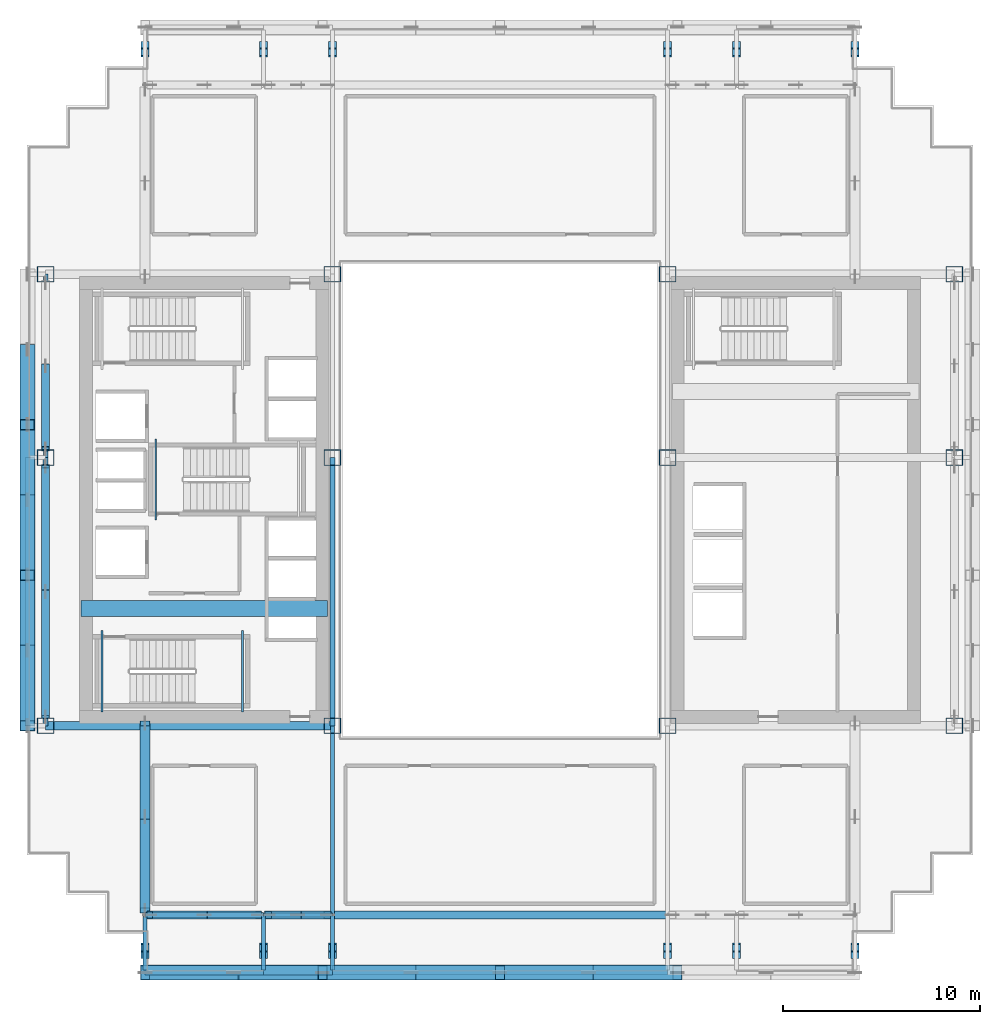
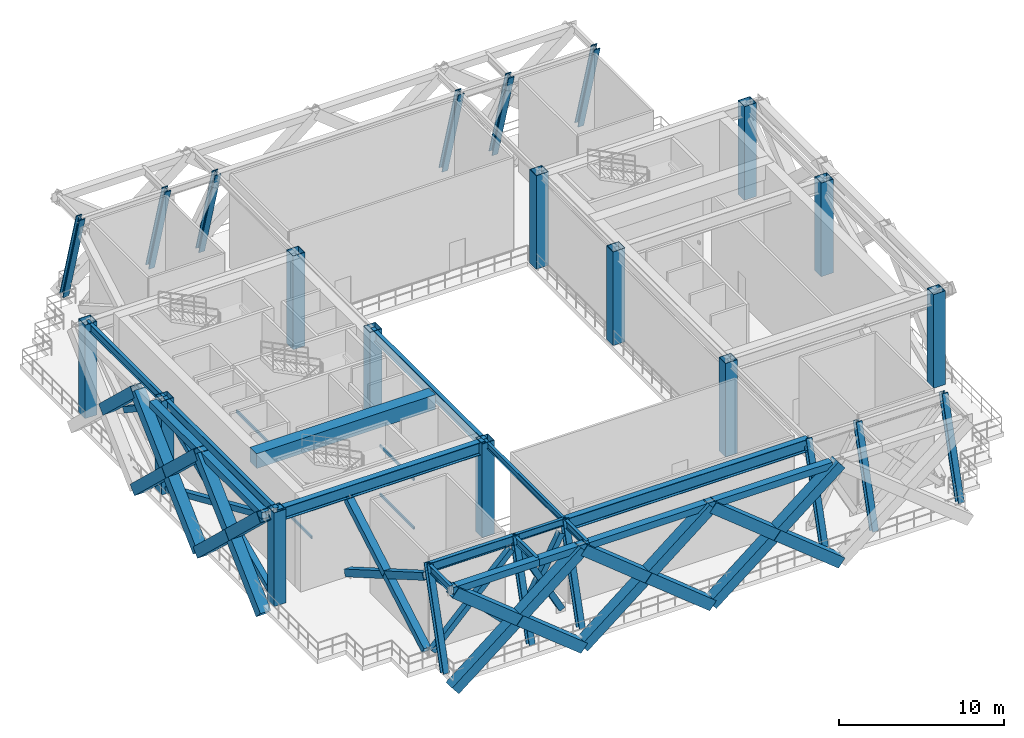
# One storey, part 1 of 14: 29 members, 24 columns, 20 beams.
"""IFC4 building model written with IfcOpenShell, lengths in metres."""

from ifc_helpers import new_model, si_unit, direction, frame, origin, origin_2d, place, context, subcontext, project, spatial, rectangle, hollow_rectangle, i_section, extrude, source, transform, mapped, material, material_profile, profile_set, type_object, element, save


model = new_model("IFC4")

# Units and contexts
model_context = context("Model", 3, precision=1e-05, world=origin(), true_north=direction((0.0, 1.0)))
body_context = subcontext(model_context, "Body", "Model", "MODEL_VIEW")
ifc_project = project(units=[si_unit("LENGTHUNIT", "METRE"), si_unit("AREAUNIT", "SQUARE_METRE"), si_unit("VOLUMEUNIT", "CUBIC_METRE"), si_unit("PLANEANGLEUNIT", "RADIAN"), si_unit("MASSUNIT", "GRAM", prefix="KILO")], contexts=[model_context])

# Site, building, storey
site_placement = place(None, origin())
site = spatial("IfcSite", under=ifc_project, at=site_placement, CompositionType="ELEMENT")
building_placement = place(site_placement, origin())
building = spatial("IfcBuilding", under=site, at=building_placement, Name="Ocotamira Hotel", CompositionType="ELEMENT")
storey_placement = place(building_placement, frame((0.0, 0.0, 151.199951171875)))
storey = spatial("IfcBuildingStorey", under=building, at=storey_placement, Name="L38", CompositionType="ELEMENT", Elevation=151.199951171875)

# Columns
ifc_material_1 = material(Name="Steel ASTM A913 Grade 65", Category="steel")
ifc_material_profile_1 = material_profile(ifc_material_1, hollow_rectangle(XDim=0.85009765625, YDim=0.800048828125, WallThickness=0.031982421875, at=origin_2d()), Name="BOX800X850X32")
ifc_profile_set_1 = profile_set([ifc_material_profile_1], Name="Steel ASTM A913 Grade 65")
column_type_1 = type_object("IfcColumnType", Name="COL-BOX800", PredefinedType="COLUMN", material=ifc_profile_set_1)
shared_shape_1 = source(origin(), body_context, "Body", "SweptSolid", [
    extrude(hollow_rectangle(XDim=0.85009765625, YDim=0.800048828125, WallThickness=0.031982421875, at=origin_2d()), origin(), (0.0, 0.0, 1.0), 6.920166015625),
])
for number, where, z_axis, x_axis, name in (
    (1, (8.949951171875, 14.550048828125, 0.0), (0.0, 0.0, 1.0), (1.0, 0.0, 0.0), "L38 Column TW8_14"),
    (2, (23.5, 14.550048828125, 0.0), (0.0, 0.0, 1.0), (1.0, 0.0, 0.0), "L38 Column TW23_14"),
    (3, (40.5, 14.550048828125, 0.0), (0.0, 0.0, 1.0), (1.0, 0.0, 0.0), "L38 Column TE40_14"),
    (4, (55.050048828125, 14.550048828125, 0.0), (0.0, 0.0, 1.0), (1.0, 0.0, 0.0), "L38 Column TE55_14"),
    (5, (8.949951171875, 28.14990234375, 0.0), (0.0, 0.0, 1.0), (1.0, 0.0, 0.0), "L38 Column TW8_28"),
    (6, (23.5, 28.14990234375, 0.0), (0.0, 0.0, 1.0), (1.0, 0.0, 0.0), "L38 Column TW23_28"),
    (7, (40.5, 28.14990234375, 0.0), (0.0, 0.0, 1.0), (1.0, 0.0, 0.0), "L38 Column TE40_28"),
    (8, (55.050048828125, 28.14990234375, 0.0), (0.0, 0.0, 1.0), (1.0, 0.0, 0.0), "L38 Column TE55_28"),
    (9, (8.949951171875, 37.449951171875, 0.0), (0.0, 0.0, 1.0), (1.0, 0.0, 0.0), "L38 Column TW8_37"),
    (10, (23.5, 37.449951171875, 0.0), (0.0, 0.0, 1.0), (1.0, 0.0, 0.0), "L38 Column TW23_37"),
    (11, (40.5, 37.449951171875, 0.0), (0.0, 0.0, 1.0), (1.0, 0.0, 0.0), "L38 Column TE40_37"),
    (12, (55.050048828125, 37.449951171875, 0.0), (0.0, 0.0, 1.0), (1.0, 0.0, 0.0), "L38 Column TE55_37"),
):
    element("IfcColumn", number, at=place(storey_placement, frame(where, z_axis=z_axis, x_axis=x_axis)), inside=storey, type_object=column_type_1, Name=name, PredefinedType="COLUMN", context=body_context, shape_type="MappedRepresentation", body=[
        mapped(shared_shape_1, transform((0.0, 0.0, 0.0), scale=1.0)),
    ])
ifc_material_profile_2 = material_profile(ifc_material_1, i_section(OverallWidth=0.412109375, OverallDepth=0.43505859375, WebThickness=0.035888671875, FlangeThickness=0.057373046875, FilletRadius=0.02490234375, at=origin_2d()), Name="W14X311")
ifc_profile_set_2 = profile_set([ifc_material_profile_2], Name="Steel ASTM A913 Grade 65")
column_type_2 = type_object("IfcColumnType", Name="COL-W14X311", PredefinedType="COLUMN", material=ifc_profile_set_2)
shared_shape_2 = source(origin(), body_context, "Body", "SweptSolid", [
    extrude(i_section(OverallWidth=0.412109375, OverallDepth=0.43505859375, WebThickness=0.035888671875, FlangeThickness=0.057373046875, FilletRadius=0.02490234375, at=origin_2d()), origin(), (0.0, 0.0, 1.0), 7.203369140625),
])
for number, where, z_axis, x_axis, name in (
    (13, (14.0, 2.949951171875, 0.0), (0.0, 0.277647399581, 0.960683049453), (-1.0, 0.0, 0.0), "L38 Column NSP1_14"),
    (14, (20.0, 2.949951171875, 0.0), (0.0, 0.277647399581, 0.960683049453), (-1.0, 0.0, 0.0), "L38 Column NSP1_20"),
    (15, (23.5, 2.949951171875, 0.0), (0.0, 0.277647399581, 0.960683049453), (-1.0, 0.0, 0.0), "L38 Column NSP1_23"),
    (16, (40.5, 2.949951171875, 0.0), (0.0, 0.277647399581, 0.960683049453), (-1.0, 0.0, 0.0), "L38 Column NSP1_40"),
    (17, (44.0, 2.949951171875, 0.0), (0.0, 0.277647399581, 0.960683049453), (-1.0, 0.0, 0.0), "L38 Column NSP1_44"),
    (18, (50.0, 2.949951171875, 0.0), (0.0, 0.277647399581, 0.960683049453), (-1.0, 0.0, 0.0), "L38 Column NSP1_50"),
    (19, (14.0, 49.050048828125, 0.0), (0.0, -0.277647399581, 0.960683049453), (1.0, 0.0, 0.0), "L38 Column NSP2_14"),
    (20, (20.0, 49.050048828125, 0.0), (0.0, -0.277647399581, 0.960683049453), (1.0, 0.0, 0.0), "L38 Column NSP2_20"),
    (21, (23.5, 49.050048828125, 0.0), (0.0, -0.277647399581, 0.960683049453), (1.0, 0.0, 0.0), "L38 Column NSP2_23"),
    (22, (40.5, 49.050048828125, 0.0), (0.0, -0.277647399581, 0.960683049453), (1.0, 0.0, 0.0), "L38 Column NSP2_40"),
    (23, (44.0, 49.050048828125, 0.0), (0.0, -0.277647399581, 0.960683049453), (1.0, 0.0, 0.0), "L38 Column NSP2_44"),
    (24, (50.0, 49.050048828125, 0.0), (0.0, -0.277647399581, 0.960683049453), (1.0, 0.0, 0.0), "L38 Column NSP2_50"),
):
    element("IfcColumn", number, at=place(storey_placement, frame(where, z_axis=z_axis, x_axis=x_axis)), inside=storey, type_object=column_type_2, Name=name, PredefinedType="COLUMN", context=body_context, shape_type="MappedRepresentation", body=[
        mapped(shared_shape_2, transform((0.0, 0.0, 0.0), scale=1.0)),
    ])

# Beams
ifc_material_2 = material(Name="Concrete C60/75", Category="concrete")
ifc_material_profile_3 = material_profile(ifc_material_2, rectangle(XDim=0.800048828125, YDim=1.10009765625, at=origin_2d()), Name="RC800X1100")
ifc_profile_set_3 = profile_set([ifc_material_profile_3], Name="Concrete C60/75")
beam_type_1 = type_object("IfcBeamType", Name="BM-LINK-RC800", PredefinedType="LINTEL", material=ifc_profile_set_3)
shared_shape_3 = source(origin(), body_context, "Body", "SweptSolid", [
    extrude(rectangle(XDim=0.800048828125, YDim=1.10009765625, at=origin_2d()), origin(), (0.0, 0.0, 1.0), 12.5),
])
beam_1_placement = place(storey_placement, frame((10.75, 20.5, 6.3701171875), z_axis=(1.0, 0.0, 0.0), x_axis=(0.0, 1.0, 0.0)))
element("IfcBeam", 25, at=beam_1_placement, inside=storey, type_object=beam_type_1, Name="L38 West Core Coupling Beam", PredefinedType="LINTEL", context=body_context, shape_type="MappedRepresentation", body=[
    mapped(shared_shape_3, transform((0.0, 0.0, 0.0), scale=1.0)),
])
ifc_material_3 = material(Name="Steel ASTM A500 Grade C", Category="steel")
ifc_material_profile_4 = material_profile(ifc_material_3, hollow_rectangle(XDim=0.10009765625, YDim=0.199951171875, WallThickness=0.008056640625, at=origin_2d()), Name="HSS200X100X8")
ifc_profile_set_4 = profile_set([ifc_material_profile_4], Name="Steel ASTM A500 Grade C")
beam_type_2 = type_object("IfcBeamType", Name="BM-STLDG-HSS200", PredefinedType="BEAM", material=ifc_profile_set_4)
shared_shape_4 = source(origin(), body_context, "Body", "SweptSolid", [
    extrude(hollow_rectangle(XDim=0.10009765625, YDim=0.199951171875, WallThickness=0.008056640625, at=origin_2d()), origin(), (0.0, 0.0, 1.0), 4.1201171875),
])
for number, where, z_axis, x_axis, name in (
    (26, (18.949951171875, 15.25, 1.5), (0.0, 1.0, 0.0), (-1.0, 0.0, 0.0), "L38 Stair ST-1 Landing Bearer 1"),
    (27, (11.81005859375, 15.25, 3.300048828125), (0.0, 1.0, 0.0), (-1.0, 0.0, 0.0), "L38 Stair ST-1 Landing Bearer 2"),
    (28, (18.949951171875, 15.25, 5.10009765625), (0.0, 1.0, 0.0), (-1.0, 0.0, 0.0), "L38 Stair ST-1 Landing Bearer 3"),
    (29, (14.5400390625, 24.97998046875, 3.300048828125), (0.0, 1.0, 0.0), (-1.0, 0.0, 0.0), "L38 Stair ST-3 Landing Bearer 2"),
):
    element("IfcBeam", number, at=place(storey_placement, frame(where, z_axis=z_axis, x_axis=x_axis)), inside=storey, type_object=beam_type_2, Name=name, PredefinedType="BEAM", context=body_context, shape_type="MappedRepresentation", body=[
        mapped(shared_shape_4, transform((0.0, 0.0, 0.0), scale=1.0)),
    ])
ifc_material_4 = material(Name="Steel ASTM A992 Grade 50", Category="steel")
ifc_material_profile_5 = material_profile(ifc_material_4, i_section(OverallWidth=0.41796875, OverallDepth=0.927001953125, WebThickness=0.019287109375, FlangeThickness=0.031982421875, FilletRadius=0.02392578125, at=origin_2d()), Name="W36X231")
ifc_profile_set_5 = profile_set([ifc_material_profile_5], Name="Steel ASTM A992 Grade 50")
beam_type_3 = type_object("IfcBeamType", Name="BM-GIRD-W36X231", PredefinedType="BEAM", material=ifc_profile_set_5)
shared_shape_5 = source(origin(), body_context, "Body", "SweptSolid", [
    extrude(i_section(OverallWidth=0.41796875, OverallDepth=0.927001953125, WebThickness=0.019287109375, FlangeThickness=0.031982421875, FilletRadius=0.02392578125, at=origin_2d()), origin(), (0.0, 0.0, 1.0), 14.550048828125),
])
beam_2_placement = place(storey_placement, frame((8.949951171875, 14.550048828125, 6.45654296875), z_axis=(1.0, 0.0, 0.0), x_axis=(0.0, 1.0, 0.0)))
element("IfcBeam", 30, at=beam_2_placement, inside=storey, type_object=beam_type_3, Name="L38 Girder Y14.55 X8.95-23.5", PredefinedType="BEAM", context=body_context, shape_type="MappedRepresentation", body=[
    mapped(shared_shape_5, transform((0.0, 0.0, 0.0), scale=1.0)),
])
shared_shape_6 = source(origin(), body_context, "Body", "SweptSolid", [
    extrude(i_section(OverallWidth=0.41796875, OverallDepth=0.927001953125, WebThickness=0.019287109375, FlangeThickness=0.031982421875, FilletRadius=0.02392578125, at=origin_2d()), origin(), (0.0, 0.0, 1.0), 17.0),
])
beam_3_placement = place(storey_placement, frame((23.5, 4.949951171875, 6.45654296875), z_axis=(1.0, 0.0, 0.0), x_axis=(0.0, 1.0, 0.0)))
element("IfcBeam", 31, at=beam_3_placement, inside=storey, type_object=beam_type_3, Name="L38 Girder Y4.95 X23.5-40.5", PredefinedType="BEAM", context=body_context, shape_type="MappedRepresentation", body=[
    mapped(shared_shape_6, transform((0.0, 0.0, 0.0), scale=1.0)),
])
ifc_material_profile_6 = material_profile(ifc_material_4, i_section(OverallWidth=0.256103515625, OverallDepth=0.693115234375, WebThickness=0.014404296875, FlangeThickness=0.023681640625, FilletRadius=0.01611328125, at=origin_2d()), Name="W27X114")
ifc_profile_set_6 = profile_set([ifc_material_profile_6], Name="Steel ASTM A992 Grade 50")
beam_type_4 = type_object("IfcBeamType", Name="BM-PRIM-W27X114", PredefinedType="BEAM", material=ifc_profile_set_6)
shared_shape_7 = source(origin(), body_context, "Body", "SweptSolid", [
    extrude(i_section(OverallWidth=0.256103515625, OverallDepth=0.693115234375, WebThickness=0.014404296875, FlangeThickness=0.023681640625, FilletRadius=0.01611328125, at=origin_2d()), origin(), (0.0, 0.0, 1.0), 6.0),
])
beam_4_placement = place(storey_placement, frame((14.0, 4.949951171875, 6.573486328125), z_axis=(1.0, 0.0, 0.0), x_axis=(0.0, 1.0, 0.0)))
element("IfcBeam", 32, at=beam_4_placement, inside=storey, type_object=beam_type_4, Name="L38 Girder Y4.95 X14-20", PredefinedType="BEAM", context=body_context, shape_type="MappedRepresentation", body=[
    mapped(shared_shape_7, transform((0.0, 0.0, 0.0), scale=1.0)),
])
ifc_material_profile_7 = material_profile(ifc_material_4, i_section(OverallWidth=0.2099609375, OverallDepth=0.537109375, WebThickness=0.010986328125, FlangeThickness=0.017333984375, FilletRadius=0.012939453125, at=origin_2d()), Name="W21X68")
ifc_profile_set_7 = profile_set([ifc_material_profile_7], Name="Steel ASTM A992 Grade 50")
beam_type_5 = type_object("IfcBeamType", Name="BM-SEC-W21X68", PredefinedType="JOIST", material=ifc_profile_set_7)
shared_shape_8 = source(origin(), body_context, "Body", "SweptSolid", [
    extrude(i_section(OverallWidth=0.2099609375, OverallDepth=0.537109375, WebThickness=0.010986328125, FlangeThickness=0.017333984375, FilletRadius=0.012939453125, at=origin_2d()), origin(), (0.0, 0.0, 1.0), 3.5),
])
beam_5_placement = place(storey_placement, frame((20.0, 4.949951171875, 6.651611328125), z_axis=(1.0, 0.0, 0.0), x_axis=(0.0, 1.0, 0.0)))
element("IfcBeam", 33, at=beam_5_placement, inside=storey, type_object=beam_type_5, Name="L38 Girder Y4.95 X20-23.5", PredefinedType="JOIST", context=body_context, shape_type="MappedRepresentation", body=[
    mapped(shared_shape_8, transform((0.0, 0.0, 0.0), scale=1.0)),
])
ifc_material_profile_8 = material_profile(ifc_material_4, i_section(OverallWidth=0.26611328125, OverallDepth=0.779052734375, WebThickness=0.0166015625, FlangeThickness=0.030029296875, FilletRadius=0.01806640625, at=origin_2d()), Name="W30X148")
ifc_profile_set_8 = profile_set([ifc_material_profile_8], Name="Steel ASTM A992 Grade 50")
beam_type_6 = type_object("IfcBeamType", Name="BM-GIRD-W30X148", PredefinedType="BEAM", material=ifc_profile_set_8)
shared_shape_9 = source(origin(), body_context, "Body", "SweptSolid", [
    extrude(i_section(OverallWidth=0.26611328125, OverallDepth=0.779052734375, WebThickness=0.0166015625, FlangeThickness=0.030029296875, FilletRadius=0.01806640625, at=origin_2d()), origin(), (0.0, 0.0, 1.0), 13.599853515625),
])
for number, where, z_axis, x_axis, name in (
    (34, (8.949951171875, 14.550048828125, 6.530517578125), (0.0, 1.0, 0.0), (-1.0, 0.0, 0.0), "L38 Beam X8.95 Y14.55-28.15"),
    (35, (23.5, 14.550048828125, 6.530517578125), (0.0, 1.0, 0.0), (-1.0, 0.0, 0.0), "L38 Beam X23.5 Y14.55-28.15"),
):
    element("IfcBeam", number, at=place(storey_placement, frame(where, z_axis=z_axis, x_axis=x_axis)), inside=storey, type_object=beam_type_6, Name=name, PredefinedType="BEAM", context=body_context, shape_type="MappedRepresentation", body=[
        mapped(shared_shape_9, transform((0.0, 0.0, 0.0), scale=1.0)),
    ])
ifc_material_profile_9 = material_profile(ifc_material_4, i_section(OverallWidth=0.22998046875, OverallDepth=0.616943359375, WebThickness=0.01318359375, FlangeThickness=0.022216796875, FilletRadius=0.012939453125, at=origin_2d()), Name="W24X94")
ifc_profile_set_9 = profile_set([ifc_material_profile_9], Name="Steel ASTM A992 Grade 50")
beam_type_7 = type_object("IfcBeamType", Name="BM-PRIM-W24X94", PredefinedType="BEAM", material=ifc_profile_set_9)
shared_shape_10 = source(origin(), body_context, "Body", "SweptSolid", [
    extrude(i_section(OverallWidth=0.22998046875, OverallDepth=0.616943359375, WebThickness=0.01318359375, FlangeThickness=0.022216796875, FilletRadius=0.012939453125, at=origin_2d()), origin(), (0.0, 0.0, 1.0), 9.300048828125),
])
beam_6_placement = place(storey_placement, frame((8.949951171875, 28.14990234375, 6.611572265625), z_axis=(0.0, 1.0, 0.0), x_axis=(-1.0, 0.0, 0.0)))
element("IfcBeam", 36, at=beam_6_placement, inside=storey, type_object=beam_type_7, Name="L38 Beam X8.95 Y28.15-37.45", PredefinedType="BEAM", context=body_context, shape_type="MappedRepresentation", body=[
    mapped(shared_shape_10, transform((0.0, 0.0, 0.0), scale=1.0)),
])
ifc_material_profile_10 = material_profile(ifc_material_3, hollow_rectangle(XDim=0.5, YDim=0.5, WallThickness=0.02001953125, at=origin_2d()), Name="HSS500X500X20")
ifc_profile_set_10 = profile_set([ifc_material_profile_10], Name="Steel ASTM A500 Grade C")
beam_type_8 = type_object("IfcBeamType", Name="BM-SPAN-HSS500", PredefinedType="USERDEFINED", material=ifc_profile_set_10)
shared_shape_11 = source(origin(), body_context, "Body", "SweptSolid", [
    extrude(hollow_rectangle(XDim=0.5, YDim=0.5, WallThickness=0.02001953125, at=origin_2d()), origin(), (0.0, 0.0, 1.0), 6.0),
])
beam_7_placement = place(storey_placement, frame((14.0, 2.14990234375, 6.670166015625), z_axis=(1.0, 0.0, 0.0), x_axis=(0.0, 1.0, 0.0)))
element("IfcBeam", 37, at=beam_7_placement, inside=storey, type_object=beam_type_8, Name="L38 Edge Spandrel S X14-20", ObjectType="SPANDREL", PredefinedType="USERDEFINED", context=body_context, shape_type="MappedRepresentation", body=[
    mapped(shared_shape_11, transform((0.0, 0.0, 0.0), scale=1.0)),
])
shared_shape_12 = source(origin(), body_context, "Body", "SweptSolid", [
    extrude(hollow_rectangle(XDim=0.5, YDim=0.5, WallThickness=0.02001953125, at=origin_2d()), origin(), (0.0, 0.0, 1.0), 13.599853515625),
])
beam_8_placement = place(storey_placement, frame((8.14990234375, 14.550048828125, 6.670166015625), z_axis=(0.0, 1.0, 0.0), x_axis=(-1.0, 0.0, 0.0)))
element("IfcBeam", 38, at=beam_8_placement, inside=storey, type_object=beam_type_8, Name="L38 Edge Spandrel W Y14.55-28.15", ObjectType="SPANDREL", PredefinedType="USERDEFINED", context=body_context, shape_type="MappedRepresentation", body=[
    mapped(shared_shape_12, transform((0.0, 0.0, 0.0), scale=1.0)),
])
shared_shape_13 = source(origin(), body_context, "Body", "SweptSolid", [
    extrude(hollow_rectangle(XDim=0.5, YDim=0.5, WallThickness=0.02001953125, at=origin_2d()), origin(), (0.0, 0.0, 1.0), 3.5),
])
beam_9_placement = place(storey_placement, frame((20.0, 2.14990234375, 6.670166015625), z_axis=(1.0, 0.0, 0.0), x_axis=(0.0, 1.0, 0.0)))
element("IfcBeam", 39, at=beam_9_placement, inside=storey, type_object=beam_type_8, Name="L38 Edge Spandrel S X20-23.5", ObjectType="SPANDREL", PredefinedType="USERDEFINED", context=body_context, shape_type="MappedRepresentation", body=[
    mapped(shared_shape_13, transform((0.0, 0.0, 0.0), scale=1.0)),
])
shared_shape_14 = source(origin(), body_context, "Body", "SweptSolid", [
    extrude(hollow_rectangle(XDim=0.5, YDim=0.5, WallThickness=0.02001953125, at=origin_2d()), origin(), (0.0, 0.0, 1.0), 17.0),
])
beam_10_placement = place(storey_placement, frame((23.5, 2.14990234375, 6.670166015625), z_axis=(1.0, 0.0, 0.0), x_axis=(0.0, 1.0, 0.0)))
element("IfcBeam", 40, at=beam_10_placement, inside=storey, type_object=beam_type_8, Name="L38 Edge Spandrel S X23.5-40.5", ObjectType="SPANDREL", PredefinedType="USERDEFINED", context=body_context, shape_type="MappedRepresentation", body=[
    mapped(shared_shape_14, transform((0.0, 0.0, 0.0), scale=1.0)),
])
ifc_material_profile_11 = material_profile(ifc_material_4, i_section(OverallWidth=0.18994140625, OverallDepth=0.45703125, WebThickness=0.009033203125, FlangeThickness=0.014404296875, FilletRadius=0.010009765625, at=origin_2d()), Name="W18X50")
ifc_profile_set_11 = profile_set([ifc_material_profile_11], Name="Steel ASTM A992 Grade 50")
beam_type_9 = type_object("IfcBeamType", Name="BM-SEC-W18X50", PredefinedType="JOIST", material=ifc_profile_set_11)
shared_shape_15 = source(origin(), body_context, "Body", "SweptSolid", [
    extrude(i_section(OverallWidth=0.18994140625, OverallDepth=0.45703125, WebThickness=0.009033203125, FlangeThickness=0.014404296875, FilletRadius=0.010009765625, at=origin_2d()), origin(), (0.0, 0.0, 1.0), 9.60009765625),
])
beam_11_placement = place(storey_placement, frame((23.5, 4.949951171875, 6.691650390625), z_axis=(0.0, 1.0, 0.0), x_axis=(-1.0, 0.0, 0.0)))
element("IfcBeam", 41, at=beam_11_placement, inside=storey, type_object=beam_type_9, Name="L38 Beam X23.5 Y4.95-14.55", PredefinedType="JOIST", context=body_context, shape_type="MappedRepresentation", body=[
    mapped(shared_shape_15, transform((0.0, 0.0, 0.0), scale=1.0)),
])
shared_shape_16 = source(origin(), body_context, "Body", "SweptSolid", [
    extrude(i_section(OverallWidth=0.2099609375, OverallDepth=0.537109375, WebThickness=0.010986328125, FlangeThickness=0.017333984375, FilletRadius=0.012939453125, at=origin_2d()), origin(), (0.0, 0.0, 1.0), 2.800048828125),
])
for number, where, z_axis, x_axis, name in (
    (42, (14.0, 4.949951171875, 6.651611328125), (0.0, -1.0, 0.0), (1.0, 0.0, 0.0), "L38 South Edge Header X14"),
    (43, (20.0, 4.949951171875, 6.651611328125), (0.0, -1.0, 0.0), (1.0, 0.0, 0.0), "L38 South Edge Header X20"),
    (44, (23.5, 4.949951171875, 6.651611328125), (0.0, -1.0, 0.0), (1.0, 0.0, 0.0), "L38 South Edge Header X23.5"),
):
    element("IfcBeam", number, at=place(storey_placement, frame(where, z_axis=z_axis, x_axis=x_axis)), inside=storey, type_object=beam_type_5, Name=name, PredefinedType="JOIST", context=body_context, shape_type="MappedRepresentation", body=[
        mapped(shared_shape_16, transform((0.0, 0.0, 0.0), scale=1.0)),
    ])

# Members
ifc_material_profile_12 = material_profile(ifc_material_1, hollow_rectangle(XDim=0.39990234375, YDim=0.39990234375, WallThickness=0.01611328125, at=origin_2d()), Name="HSS400X400X16")
ifc_profile_set_12 = profile_set([ifc_material_profile_12], Name="Steel ASTM A913 Grade 65")
member_type_1 = type_object("IfcMemberType", Name="MEM-BELT-HSS400", PredefinedType="BRACE", material=ifc_profile_set_12)
shared_shape_17 = source(origin(), body_context, "Body", "SweptSolid", [
    extrude(hollow_rectangle(XDim=0.39990234375, YDim=0.39990234375, WallThickness=0.01611328125, at=origin_2d()), origin(), (0.0, 0.0, 1.0), 7.870361328125),
])
member_1_placement = place(storey_placement, frame((14.239990234375, 4.949951171875, 0.35009765625), z_axis=(0.701375952143, 0.0, 0.712791535973), x_axis=(0.0, 1.0, 0.0)))
element("IfcMember", 45, at=member_1_placement, inside=storey, type_object=member_type_1, Name="L38 Belt Truss Diagonal 14,4.95 A", PredefinedType="BRACE", context=body_context, shape_type="MappedRepresentation", body=[
    mapped(shared_shape_17, transform((0.0, 0.0, 0.0), scale=1.0)),
])
shared_shape_18 = source(origin(), body_context, "Body", "SweptSolid", [
    extrude(hollow_rectangle(XDim=0.39990234375, YDim=0.39990234375, WallThickness=0.01611328125, at=origin_2d()), origin(), (0.0, 0.0, 1.0), 3.915283203125),
])
for number, where, z_axis, x_axis, name in (
    (46, (14.239990234375, 4.949951171875, 5.9599609375), (0.70137820504, 0.0, -0.712789319151), (0.0, 1.0, 0.0), "L38 Belt Truss Diagonal 14,4.95 B Lower Half"),
    (47, (17.013916015625, 4.949951171875, 3.140869140625), (0.70137820504, 0.0, -0.712789319151), (0.0, 1.0, 0.0), "L38 Belt Truss Diagonal 14,4.95 B Upper Half"),
):
    element("IfcMember", number, at=place(storey_placement, frame(where, z_axis=z_axis, x_axis=x_axis)), inside=storey, type_object=member_type_1, Name=name, PredefinedType="BRACE", context=body_context, shape_type="MappedRepresentation", body=[
        mapped(shared_shape_18, transform((0.0, 0.0, 0.0), scale=1.0)),
    ])
shared_shape_19 = source(origin(), body_context, "Body", "SweptSolid", [
    extrude(hollow_rectangle(XDim=0.39990234375, YDim=0.39990234375, WallThickness=0.01611328125, at=origin_2d()), origin(), (0.0, 0.0, 1.0), 6.37109375),
])
member_2_placement = place(storey_placement, frame((20.239990234375, 4.949951171875, 0.35009765625), z_axis=(0.474017556158, 0.0, 0.880515392514), x_axis=(0.0, 1.0, 0.0)))
element("IfcMember", 48, at=member_2_placement, inside=storey, type_object=member_type_1, Name="L38 Belt Truss Diagonal 20,4.95 A", PredefinedType="BRACE", context=body_context, shape_type="MappedRepresentation", body=[
    mapped(shared_shape_19, transform((0.0, 0.0, 0.0), scale=1.0)),
])
shared_shape_20 = source(origin(), body_context, "Body", "SweptSolid", [
    extrude(hollow_rectangle(XDim=0.39990234375, YDim=0.39990234375, WallThickness=0.01611328125, at=origin_2d()), origin(), (0.0, 0.0, 1.0), 3.16552734375),
])
for number, where, z_axis, x_axis, name in (
    (49, (20.239990234375, 4.949951171875, 5.9599609375), (0.474003238469, 0.0, -0.880523100163), (0.0, 1.0, 0.0), "L38 Belt Truss Diagonal 20,4.95 B Lower Half"),
    (50, (21.759521484375, 4.949951171875, 3.137451171875), (0.474003238469, 0.0, -0.880523100163), (0.0, 1.0, 0.0), "L38 Belt Truss Diagonal 20,4.95 B Upper Half"),
):
    element("IfcMember", number, at=place(storey_placement, frame(where, z_axis=z_axis, x_axis=x_axis)), inside=storey, type_object=member_type_1, Name=name, PredefinedType="BRACE", context=body_context, shape_type="MappedRepresentation", body=[
        mapped(shared_shape_20, transform((0.0, 0.0, 0.0), scale=1.0)),
    ])
shared_shape_21 = source(origin(), body_context, "Body", "SweptSolid", [
    extrude(hollow_rectangle(XDim=0.39990234375, YDim=0.39990234375, WallThickness=0.01611328125, at=origin_2d()), origin(), (0.0, 0.0, 1.0), 13.902099609375),
])
member_3_placement = place(storey_placement, frame((8.949951171875, 14.989990234375, 0.35009765625), z_axis=(0.0, 0.914967960932, 0.403526492895), x_axis=(-1.0, 0.0, 0.0)))
element("IfcMember", 51, at=member_3_placement, inside=storey, type_object=member_type_1, Name="L38 Belt Truss Diagonal 8.95,14.55 A", PredefinedType="BRACE", context=body_context, shape_type="MappedRepresentation", body=[
    mapped(shared_shape_21, transform((0.0, 0.0, 0.0), scale=1.0)),
])
shared_shape_22 = source(origin(), body_context, "Body", "SweptSolid", [
    extrude(hollow_rectangle(XDim=0.39990234375, YDim=0.39990234375, WallThickness=0.01611328125, at=origin_2d()), origin(), (0.0, 0.0, 1.0), 6.93115234375),
])
member_4_placement = place(storey_placement, frame((8.949951171875, 14.989990234375, 5.9599609375), z_axis=(0.0, 0.914969826027, -0.403522263896), x_axis=(-1.0, 0.0, 0.0)))
element("IfcMember", 52, at=member_4_placement, inside=storey, type_object=member_type_1, Name="L38 Belt Truss Diagonal 8.95,14.55 B Lower Half", PredefinedType="BRACE", context=body_context, shape_type="MappedRepresentation", body=[
    mapped(shared_shape_22, transform((0.0, 0.0, 0.0), scale=1.0)),
])
shared_shape_23 = source(origin(), body_context, "Body", "SweptSolid", [
    extrude(hollow_rectangle(XDim=0.39990234375, YDim=0.39990234375, WallThickness=0.01611328125, at=origin_2d()), origin(), (0.0, 0.0, 1.0), 6.930908203125),
])
member_5_placement = place(storey_placement, frame((8.949951171875, 21.368408203125, 3.14697265625), z_axis=(0.0, 0.914964090273, -0.403535269227), x_axis=(-1.0, 0.0, 0.0)))
element("IfcMember", 53, at=member_5_placement, inside=storey, type_object=member_type_1, Name="L38 Belt Truss Diagonal 8.95,14.55 B Upper Half", PredefinedType="BRACE", context=body_context, shape_type="MappedRepresentation", body=[
    mapped(shared_shape_23, transform((0.0, 0.0, 0.0), scale=1.0)),
])
shared_shape_24 = source(origin(), body_context, "Body", "SweptSolid", [
    extrude(hollow_rectangle(XDim=0.39990234375, YDim=0.39990234375, WallThickness=0.01611328125, at=origin_2d()), origin(), (0.0, 0.0, 1.0), 5.038818359375),
])
member_6_placement = place(storey_placement, frame((8.949951171875, 28.590087890625, 5.9599609375), z_axis=(0.0, 0.832221702224, -0.554442998285), x_axis=(-1.0, 0.0, 0.0)))
element("IfcMember", 54, at=member_6_placement, inside=storey, type_object=member_type_1, Name="L38 Belt Truss Diagonal 8.95,28.15 B Lower Half", PredefinedType="BRACE", context=body_context, shape_type="MappedRepresentation", body=[
    mapped(shared_shape_24, transform((0.0, 0.0, 0.0), scale=1.0)),
])
ifc_material_profile_13 = material_profile(ifc_material_1, hollow_rectangle(XDim=0.5, YDim=0.5, WallThickness=0.02001953125, at=origin_2d()), Name="HSS500X500X20")
ifc_profile_set_13 = profile_set([ifc_material_profile_13], Name="Steel ASTM A913 Grade 65")
member_type_2 = type_object("IfcMemberType", Name="MEM-OUT-HSS500", PredefinedType="BRACE", material=ifc_profile_set_13)
shared_shape_25 = source(origin(), body_context, "Body", "SweptSolid", [
    extrude(hollow_rectangle(XDim=0.5, YDim=0.5, WallThickness=0.02001953125, at=origin_2d()), origin(), (0.0, 0.0, 1.0), 10.968017578125),
])
member_7_placement = place(storey_placement, frame((14.0, 14.675048828125, 0.35009765625), z_axis=(0.0, -0.86571011466, 0.500545699588), x_axis=(1.0, 0.0, 0.0)))
element("IfcMember", 55, at=member_7_placement, inside=storey, type_object=member_type_2, Name="L38 Outrigger Truss S X14 A", PredefinedType="BRACE", context=body_context, shape_type="MappedRepresentation", body=[
    mapped(shared_shape_25, transform((0.0, 0.0, 0.0), scale=1.0)),
])
shared_shape_26 = source(origin(), body_context, "Body", "SweptSolid", [
    extrude(hollow_rectangle(XDim=0.5, YDim=0.5, WallThickness=0.02001953125, at=origin_2d()), origin(), (0.0, 0.0, 1.0), 5.464111328125),
])
member_8_placement = place(storey_placement, frame((14.0, 14.675048828125, 5.840087890625), z_axis=(0.0, -0.865699435504, -0.500564169081), x_axis=(1.0, 0.0, 0.0)))
element("IfcMember", 56, at=member_8_placement, inside=storey, type_object=member_type_2, Name="L38 Outrigger Truss S X14 B Lower Half", PredefinedType="BRACE", context=body_context, shape_type="MappedRepresentation", body=[
    mapped(shared_shape_26, transform((0.0, 0.0, 0.0), scale=1.0)),
])
shared_shape_27 = source(origin(), body_context, "Body", "SweptSolid", [
    extrude(hollow_rectangle(XDim=0.5, YDim=0.5, WallThickness=0.02001953125, at=origin_2d()), origin(), (0.0, 0.0, 1.0), 5.4638671875),
])
member_9_placement = place(storey_placement, frame((14.0, 9.91015625, 3.0849609375), z_axis=(0.0, -0.865718797383, -0.500530682234), x_axis=(1.0, 0.0, 0.0)))
element("IfcMember", 57, at=member_9_placement, inside=storey, type_object=member_type_2, Name="L38 Outrigger Truss S X14 B Upper Half", PredefinedType="BRACE", context=body_context, shape_type="MappedRepresentation", body=[
    mapped(shared_shape_27, transform((0.0, 0.0, 0.0), scale=1.0)),
])
ifc_material_5 = material(Name="Pale-metal coated steel ASTM A913 Grade 65", Category="steel")
ifc_material_profile_14 = material_profile(ifc_material_5, hollow_rectangle(XDim=0.75, YDim=0.75, WallThickness=0.028076171875, at=origin_2d()), Name="BOX750X750X28")
ifc_profile_set_14 = profile_set([ifc_material_profile_14], Name="Pale-metal coated steel ASTM A913 Grade 65")
member_type_3 = type_object("IfcMemberType", Name="MEM-EXO-BOX750", PredefinedType="BRACE", material=ifc_profile_set_14)
shared_shape_28 = source(origin(), body_context, "Body", "SweptSolid", [
    extrude(hollow_rectangle(XDim=0.75, YDim=0.75, WallThickness=0.028076171875, at=origin_2d()), origin(), (0.0, 0.0, 1.0), 11.55078125),
])
for number, where, z_axis, x_axis, name in (
    (58, (14.0, 2.030029296875, -0.570068359375), (0.779166772516, 0.0, 0.626816672247), (0.0, 1.0, 0.0), "L38 Exoskeleton Diagrid S0.1"),
    (59, (23.0, 2.030029296875, -0.570068359375), (0.779166772516, 0.0, 0.626816672247), (0.0, 1.0, 0.0), "L38 Exoskeleton Diagrid S1.1"),
    (60, (32.0, 2.030029296875, -0.570068359375), (0.779166772516, 0.0, 0.626816672247), (0.0, 1.0, 0.0), "L38 Exoskeleton Diagrid S2.1"),
):
    element("IfcMember", number, at=place(storey_placement, frame(where, z_axis=z_axis, x_axis=x_axis)), inside=storey, type_object=member_type_3, Name=name, PredefinedType="BRACE", context=body_context, shape_type="MappedRepresentation", body=[
        mapped(shared_shape_28, transform((0.0, 0.0, 0.0), scale=1.0)),
    ])
shared_shape_29 = source(origin(), body_context, "Body", "SweptSolid", [
    extrude(hollow_rectangle(XDim=0.75, YDim=0.75, WallThickness=0.028076171875, at=origin_2d()), origin(), (0.0, 0.0, 1.0), 5.75537109375),
])
for number, where, z_axis, x_axis, name in (
    (61, (23.0, 2.030029296875, -0.570068359375), (-0.779156701488, 0.0, 0.626829190869), (0.0, -1.0, 0.0), "L38 Exoskeleton Diagrid S0.2 Lower Half"),
    (62, (18.484375, 2.030029296875, 3.0625), (-0.779156701488, 0.0, 0.626829190869), (0.0, -1.0, 0.0), "L38 Exoskeleton Diagrid S0.2 Upper Half"),
    (63, (32.0, 2.030029296875, -0.570068359375), (-0.779156701488, 0.0, 0.626829190869), (0.0, -1.0, 0.0), "L38 Exoskeleton Diagrid S1.2 Lower Half"),
    (64, (27.484375, 2.030029296875, 3.0625), (-0.779156701488, 0.0, 0.626829190869), (0.0, -1.0, 0.0), "L38 Exoskeleton Diagrid S1.2 Upper Half"),
    (65, (41.0, 2.030029296875, -0.570068359375), (-0.779156701488, 0.0, 0.626829190869), (0.0, -1.0, 0.0), "L38 Exoskeleton Diagrid S2.2 Lower Half"),
    (66, (36.484375, 2.030029296875, 3.0625), (-0.779156701488, 0.0, 0.626829190869), (0.0, -1.0, 0.0), "L38 Exoskeleton Diagrid S2.2 Upper Half"),
):
    element("IfcMember", number, at=place(storey_placement, frame(where, z_axis=z_axis, x_axis=x_axis)), inside=storey, type_object=member_type_3, Name=name, PredefinedType="BRACE", context=body_context, shape_type="MappedRepresentation", body=[
        mapped(shared_shape_29, transform((0.0, 0.0, 0.0), scale=1.0)),
    ])
shared_shape_30 = source(origin(), body_context, "Body", "SweptSolid", [
    extrude(hollow_rectangle(XDim=0.75, YDim=0.75, WallThickness=0.028076171875, at=origin_2d()), origin(), (0.0, 0.0, 1.0), 10.520751953125),
])
for number, where, z_axis, x_axis, name in (
    (67, (8.030029296875, 14.550048828125, -0.570068359375), (0.0, 0.725540344129, 0.688179634283), (-1.0, 0.0, 0.0), "L38 Exoskeleton Diagrid W0.1"),
    (68, (8.030029296875, 22.183349609375, -0.570068359375), (0.0, 0.725540344129, 0.688179634283), (-1.0, 0.0, 0.0), "L38 Exoskeleton Diagrid W1.1"),
):
    element("IfcMember", number, at=place(storey_placement, frame(where, z_axis=z_axis, x_axis=x_axis)), inside=storey, type_object=member_type_3, Name=name, PredefinedType="BRACE", context=body_context, shape_type="MappedRepresentation", body=[
        mapped(shared_shape_30, transform((0.0, 0.0, 0.0), scale=1.0)),
    ])
shared_shape_31 = source(origin(), body_context, "Body", "SweptSolid", [
    extrude(hollow_rectangle(XDim=0.75, YDim=0.75, WallThickness=0.028076171875, at=origin_2d()), origin(), (0.0, 0.0, 1.0), 5.240478515625),
])
for number, where, z_axis, x_axis, name in (
    (69, (8.030029296875, 22.183349609375, -0.570068359375), (0.0, -0.725541230935, 0.688178699331), (1.0, 0.0, 0.0), "L38 Exoskeleton Diagrid W0.2 Lower Half"),
    (70, (8.030029296875, 18.35205078125, 3.063720703125), (0.0, -0.725519166826, 0.688201960596), (1.0, 0.0, 0.0), "L38 Exoskeleton Diagrid W0.2 Upper Half"),
    (71, (8.030029296875, 29.816650390625, -0.570068359375), (0.0, -0.725541230935, 0.688178699331), (1.0, 0.0, 0.0), "L38 Exoskeleton Diagrid W1.2 Lower Half"),
    (72, (8.030029296875, 25.985595703125, 3.063720703125), (0.0, -0.725541230935, 0.688178699331), (1.0, 0.0, 0.0), "L38 Exoskeleton Diagrid W1.2 Upper Half"),
    (73, (8.030029296875, 33.618896484375, 3.063720703125), (0.0, -0.725541230935, 0.688178699331), (1.0, 0.0, 0.0), "L38 Exoskeleton Diagrid W2.2 Upper Half"),
):
    element("IfcMember", number, at=place(storey_placement, frame(where, z_axis=z_axis, x_axis=x_axis)), inside=storey, type_object=member_type_3, Name=name, PredefinedType="BRACE", context=body_context, shape_type="MappedRepresentation", body=[
        mapped(shared_shape_31, transform((0.0, 0.0, 0.0), scale=1.0)),
    ])

save(model, "model.ifc")
